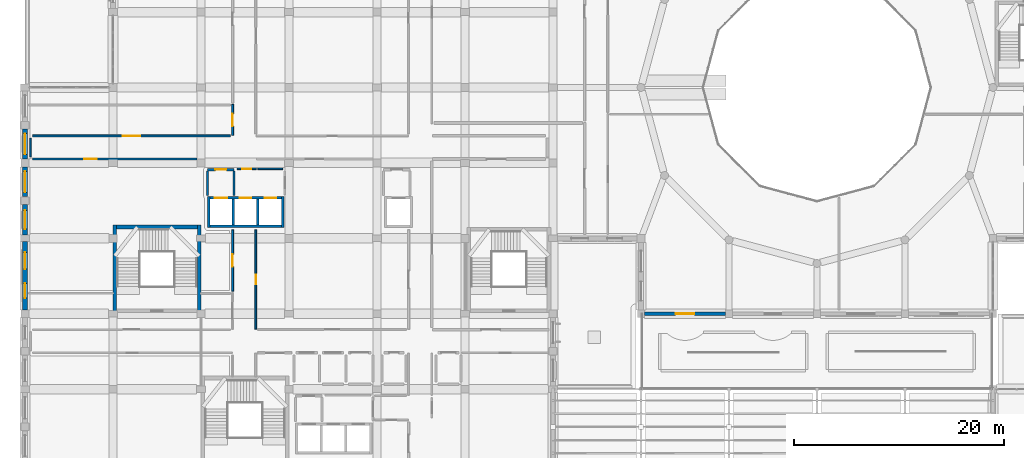
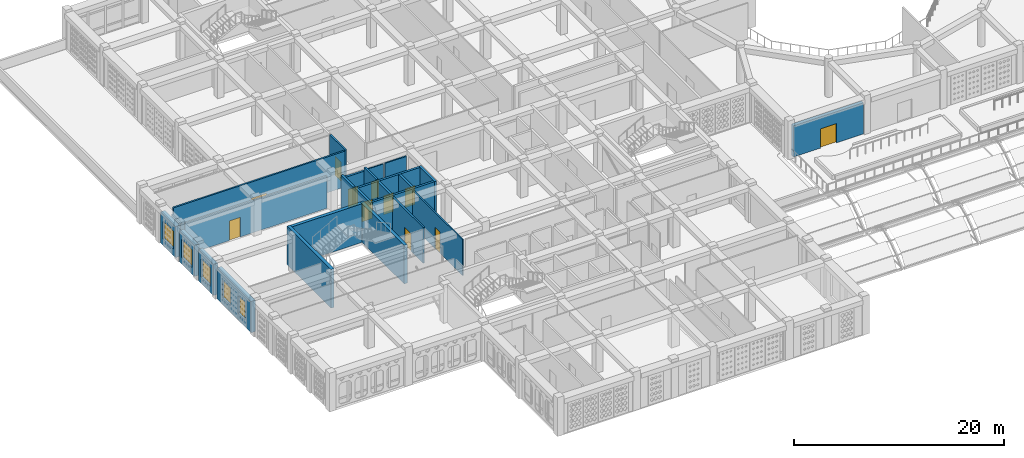
# One storey, part 55 of 100: 25 walls, 11 doors, 5 windows, 16 openings.
"""IFC4 building model written with IfcOpenShell, lengths in metres."""

from ifc_helpers import new_model, si_unit, derived_unit, direction, frame, frame_2d, origin, place, context, subcontext, project, spatial, rectangle, extrude, material, layer, layer_set, type_object, element, fill, save


model = new_model("IFC4")

# Units and contexts
model_context = context("Model", 3, precision=1e-05, world=origin(), true_north=direction((0.0, 1.0)))
body_context = subcontext(model_context, "Body", "Model", "MODEL_VIEW")
ifc_project = project(units=[si_unit("LENGTHUNIT", "METRE"), si_unit("AREAUNIT", "SQUARE_METRE"), si_unit("VOLUMEUNIT", "CUBIC_METRE"), si_unit("PLANEANGLEUNIT", "RADIAN"), si_unit("MASSUNIT", "GRAM", prefix="KILO"), derived_unit("THERMALTRANSMITTANCEUNIT", [(si_unit("POWERUNIT", "WATT"), 1), (si_unit("LENGTHUNIT", "METRE"), -2), (si_unit("THERMODYNAMICTEMPERATUREUNIT", "KELVIN"), -1)])], contexts=[model_context])

# Site, building, storey
site_placement = place(None, origin())
site = spatial("IfcSite", under=ifc_project, at=site_placement, CompositionType="ELEMENT")
building_placement = place(site_placement, origin())
building = spatial("IfcBuilding", under=site, at=building_placement, Name="Veybourne Emporium", CompositionType="ELEMENT")
storey_placement = place(building_placement, frame((0.0, 0.0, 14.39990234375)))
storey = spatial("IfcBuildingStorey", under=building, at=storey_placement, Name="L03", CompositionType="ELEMENT", Elevation=14.39990234375)

# Wall, openings, windows
ifc_material_1 = material(Name="Portland Limestone Ashlar", Category="masonry")
ifc_layer_1 = layer(ifc_material_1, 0.47998046875)
ifc_layer_set_1 = layer_set([ifc_layer_1], Name="Portland Limestone Ashlar")
wall_type_1 = type_object("IfcWallType", Name="ExtWall_EW-01", PredefinedType="SOLIDWALL", material=ifc_layer_set_1)
wall_1_placement = place(storey_placement, frame((0.0, 29.175048828125, 0.0), z_axis=(0.0, 0.0, 1.0), x_axis=(0.0, 1.0, 0.0)))
wall_1 = element("IfcWall", 1, at=wall_1_placement, inside=storey, type_object=wall_type_1, Name="L03 Portland stone external wall 004", PredefinedType="SOLIDWALL", context=body_context, shape_type="SweptSolid", body=[
    extrude(rectangle(XDim=6.5, YDim=0.47998046875, at=frame_2d((3.25, 0.0))), origin(), (0.0, 0.0, 1.0), 3.630126953125),
])
opening_1_placement = place(wall_1_placement, frame((1.1201171875, 0.0, 0.75)))
opening_1 = element("IfcOpeningElement", 2, at=opening_1_placement, cuts=wall_1, Name="Opening W-10", PredefinedType="OPENING", context=body_context, shape_type="SweptSolid", body=[
    extrude(rectangle(XDim=1.39990234375, YDim=2.080078125, at=frame_2d((0.699951171875, 1.0400390625))), frame((0.0, 0.260009765625, 0.0), z_axis=(0.0, -1.0, 0.0), x_axis=(1.0, 0.0, 0.0)), (0.0, 0.0, 1.0), 0.52001953125),
])
opening_2_placement = place(wall_1_placement, frame((3.8798828125, 0.0, 0.75)))
opening_2 = element("IfcOpeningElement", 3, at=opening_2_placement, cuts=wall_1, Name="Opening W-11", PredefinedType="OPENING", context=body_context, shape_type="SweptSolid", body=[
    extrude(rectangle(XDim=1.60009765625, YDim=2.080078125, at=frame_2d((0.800048828125, 1.0400390625))), frame((0.0, 0.260009765625, 0.0), z_axis=(0.0, -1.0, 0.0), x_axis=(1.0, 0.0, 0.0)), (0.0, 0.0, 1.0), 0.52001953125),
])
ifc_material_2 = material(Name="Low-E Triple Glazing", Category="glass")
window_type_1 = type_object("IfcWindowType", Name="Win_W-10", PartitioningType="DOUBLE_PANEL_VERTICAL", PredefinedType="WINDOW", material=ifc_material_2)
window_1_placement = place(opening_1_placement, origin())
window_1 = element("IfcWindow", 4, at=window_1_placement, inside=storey, type_object=window_type_1, Name="L03 tripartite bronze casement window W-10 (4.1)", OverallHeight=2.080078125, OverallWidth=1.39990234375, PartitioningType="DOUBLE_PANEL_VERTICAL", PredefinedType="WINDOW", context=body_context, shape_type="SweptSolid", body=[
    extrude(rectangle(XDim=1.39990234375, YDim=2.080078125, at=frame_2d((0.699951171875, 1.0400390625))), frame((0.0, 0.030029296875, 0.0), z_axis=(0.0, -1.0, 0.0), x_axis=(1.0, 0.0, 0.0)), (0.0, 0.0, 1.0), 0.06005859375),
])
fill(opening_1, window_1)
window_type_2 = type_object("IfcWindowType", Name="Win_W-11", PartitioningType="DOUBLE_PANEL_VERTICAL", PredefinedType="WINDOW", material=ifc_material_2)
window_2_placement = place(opening_2_placement, origin())
window_2 = element("IfcWindow", 5, at=window_2_placement, inside=storey, type_object=window_type_2, Name="L03 tripartite bronze casement window W-11 (4.2)", OverallHeight=2.080078125, OverallWidth=1.60009765625, PartitioningType="DOUBLE_PANEL_VERTICAL", PredefinedType="WINDOW", context=body_context, shape_type="SweptSolid", body=[
    extrude(rectangle(XDim=1.60009765625, YDim=2.080078125, at=frame_2d((0.800048828125, 1.0400390625))), frame((0.0, 0.030029296875, 0.0), z_axis=(0.0, -1.0, 0.0), x_axis=(1.0, 0.0, 0.0)), (0.0, 0.0, 1.0), 0.06005859375),
])
fill(opening_2, window_2)

# Wall, opening, window
wall_2_placement = place(storey_placement, frame((0.0, 36.324951171875, 0.0), z_axis=(0.0, 0.0, 1.0), x_axis=(0.0, 1.0, 0.0)))
wall_2 = element("IfcWall", 6, at=wall_2_placement, inside=storey, type_object=wall_type_1, Name="L03 Portland stone external wall 005A", PredefinedType="SOLIDWALL", context=body_context, shape_type="SweptSolid", body=[
    extrude(rectangle(XDim=2.905029296875, YDim=0.47998046875, at=frame_2d((1.45263671875, 0.0))), origin(), (0.0, 0.0, 1.0), 3.630126953125),
])
opening_3_placement = place(wall_2_placement, frame((0.552490234375, 0.0, 0.75)))
opening_3 = element("IfcOpeningElement", 7, at=opening_3_placement, cuts=wall_2, Name="Opening W-12", PredefinedType="OPENING", context=body_context, shape_type="SweptSolid", body=[
    extrude(rectangle(XDim=1.800048828125, YDim=2.080078125, at=frame_2d((0.89990234375, 1.0400390625))), frame((0.0, 0.260009765625, 0.0), z_axis=(0.0, -1.0, 0.0), x_axis=(1.0, 0.0, 0.0)), (0.0, 0.0, 1.0), 0.52001953125),
])
window_type_3 = type_object("IfcWindowType", Name="Win_W-12", PartitioningType="DOUBLE_PANEL_VERTICAL", PredefinedType="WINDOW", material=ifc_material_2)
window_3_placement = place(opening_3_placement, origin())
window_3 = element("IfcWindow", 8, at=window_3_placement, inside=storey, type_object=window_type_3, Name="L03 tripartite bronze casement window W-12 (5A)", OverallHeight=2.080078125, OverallWidth=1.800048828125, PartitioningType="DOUBLE_PANEL_VERTICAL", PredefinedType="WINDOW", context=body_context, shape_type="SweptSolid", body=[
    extrude(rectangle(XDim=1.800048828125, YDim=2.080078125, at=frame_2d((0.89990234375, 1.0400390625))), frame((0.0, 0.030029296875, 0.0), z_axis=(0.0, -1.0, 0.0), x_axis=(1.0, 0.0, 0.0)), (0.0, 0.0, 1.0), 0.06005859375),
])
fill(opening_3, window_3)

wall_3_placement = place(storey_placement, frame((0.0, 39.969970703125, 0.0), z_axis=(0.0, 0.0, 1.0), x_axis=(0.0, 1.0, 0.0)))
wall_3 = element("IfcWall", 9, at=wall_3_placement, inside=storey, type_object=wall_type_1, Name="L03 Portland stone external wall 005B", PredefinedType="SOLIDWALL", context=body_context, shape_type="SweptSolid", body=[
    extrude(rectangle(XDim=2.85498046875, YDim=0.47998046875, at=frame_2d((1.427490234375, 0.0))), origin(), (0.0, 0.0, 1.0), 3.630126953125),
])
opening_4_placement = place(wall_3_placement, frame((0.427490234375, 0.0, 0.75)))
opening_4 = element("IfcOpeningElement", 10, at=opening_4_placement, cuts=wall_3, Name="Opening W-13", PredefinedType="OPENING", context=body_context, shape_type="SweptSolid", body=[
    extrude(rectangle(XDim=2.0, YDim=2.080078125, at=frame_2d((1.0, 1.0400390625))), frame((0.0, 0.260009765625, 0.0), z_axis=(0.0, -1.0, 0.0), x_axis=(1.0, 0.0, 0.0)), (0.0, 0.0, 1.0), 0.52001953125),
])
window_type_4 = type_object("IfcWindowType", Name="Win_W-13", PartitioningType="TRIPLE_PANEL_VERTICAL", PredefinedType="WINDOW", material=ifc_material_2)
window_4_placement = place(opening_4_placement, origin())
window_4 = element("IfcWindow", 11, at=window_4_placement, inside=storey, type_object=window_type_4, Name="L03 tripartite bronze casement window W-13 (5B)", OverallHeight=2.080078125, OverallWidth=2.0, PartitioningType="TRIPLE_PANEL_VERTICAL", PredefinedType="WINDOW", context=body_context, shape_type="SweptSolid", body=[
    extrude(rectangle(XDim=2.0, YDim=2.080078125, at=frame_2d((1.0, 1.0400390625))), frame((0.0, 0.030029296875, 0.0), z_axis=(0.0, -1.0, 0.0), x_axis=(1.0, 0.0, 0.0)), (0.0, 0.0, 1.0), 0.06005859375),
])
fill(opening_4, window_4)

wall_4_placement = place(storey_placement, frame((0.0, 43.574951171875, 0.0), z_axis=(0.0, 0.0, 1.0), x_axis=(0.0, 1.0, 0.0)))
wall_4 = element("IfcWall", 12, at=wall_4_placement, inside=storey, type_object=wall_type_1, Name="L03 Portland stone external wall 007A", PredefinedType="SOLIDWALL", context=body_context, shape_type="SweptSolid", body=[
    extrude(rectangle(XDim=2.85498046875, YDim=0.47998046875, at=frame_2d((1.427490234375, 0.0))), origin(), (0.0, 0.0, 1.0), 3.630126953125),
])
opening_5_placement = place(wall_4_placement, frame((0.427490234375, 0.0, 0.75)))
opening_5 = element("IfcOpeningElement", 13, at=opening_5_placement, cuts=wall_4, Name="Opening W-14", PredefinedType="OPENING", context=body_context, shape_type="SweptSolid", body=[
    extrude(rectangle(XDim=2.0, YDim=2.080078125, at=frame_2d((1.0, 1.0400390625))), frame((0.0, 0.260009765625, 0.0), z_axis=(0.0, -1.0, 0.0), x_axis=(1.0, 0.0, 0.0)), (0.0, 0.0, 1.0), 0.52001953125),
])
window_type_5 = type_object("IfcWindowType", Name="Win_W-14", PartitioningType="TRIPLE_PANEL_VERTICAL", PredefinedType="WINDOW", material=ifc_material_2)
window_5_placement = place(opening_5_placement, origin())
window_5 = element("IfcWindow", 14, at=window_5_placement, inside=storey, type_object=window_type_5, Name="L03 tripartite bronze casement window W-14 (7A)", OverallHeight=2.080078125, OverallWidth=2.0, PartitioningType="TRIPLE_PANEL_VERTICAL", PredefinedType="WINDOW", context=body_context, shape_type="SweptSolid", body=[
    extrude(rectangle(XDim=2.0, YDim=2.080078125, at=frame_2d((1.0, 1.0400390625))), frame((0.0, 0.030029296875, 0.0), z_axis=(0.0, -1.0, 0.0), x_axis=(1.0, 0.0, 0.0)), (0.0, 0.0, 1.0), 0.06005859375),
])
fill(opening_5, window_5)

# Wall, opening, door
ifc_layer_2 = layer(ifc_material_1, 0.3798828125)
ifc_layer_set_2 = layer_set([ifc_layer_2], Name="Portland Limestone Ashlar")
wall_type_2 = type_object("IfcWallType", Name="ExtWall_EW-03", PredefinedType="SOLIDWALL", material=ifc_layer_set_2)
wall_5_placement = place(storey_placement, frame((66.85009765625, 28.800048828125, 0.0), z_axis=(0.0, 0.0, 1.0), x_axis=(-1.0, 0.0, 0.0)))
wall_5 = element("IfcWall", 15, at=wall_5_placement, inside=storey, type_object=wall_type_2, Name="L03 terrace facade wall 034", PredefinedType="SOLIDWALL", context=body_context, shape_type="SweptSolid", body=[
    extrude(rectangle(XDim=7.7001953125, YDim=0.3798828125, at=frame_2d((3.85009765625, 0.0))), origin(), (0.0, 0.0, 1.0), 3.630126953125),
])
opening_6_placement = place(wall_5_placement, frame((2.949951171875, 0.0, 0.0)))
opening_6 = element("IfcOpeningElement", 16, at=opening_6_placement, cuts=wall_5, Name="Opening TD-01", PredefinedType="OPENING", context=body_context, shape_type="SweptSolid", body=[
    extrude(rectangle(XDim=1.800048828125, YDim=2.25, at=frame_2d((0.89990234375, 1.125))), frame((0.0, 0.2099609375, 0.0), z_axis=(0.0, -1.0, 0.0), x_axis=(1.0, 0.0, 0.0)), (0.0, 0.0, 1.0), 0.419921875),
])
ifc_material_3 = material(Name="Patinated Architectural Bronze", Category="bronze")
door_type_1 = type_object("IfcDoorType", Name="TerrDoor_TD-01", OperationType="NOTDEFINED", PredefinedType="DOOR", material=ifc_material_3)
door_1_placement = place(opening_6_placement, origin())
door_1 = element("IfcDoor", 17, at=door_1_placement, inside=storey, type_object=door_type_1, Name="L03 roof-garden terrace door 01", OperationType="SINGLE_SWING_RIGHT", OverallHeight=2.25, OverallWidth=1.800048828125, PredefinedType="DOOR", context=body_context, shape_type="SweptSolid", body=[
    extrude(rectangle(XDim=1.800048828125, YDim=2.25, at=frame_2d((0.89990234375, 1.125))), frame((0.0, 0.02490234375, 0.0), z_axis=(0.0, -1.0, 0.0), x_axis=(1.0, 0.0, 0.0)), (0.0, 0.0, 1.0), 0.050048828125),
])
fill(opening_6, door_1)

# Walls
ifc_material_4 = material(Name="Concrete C40/50", Category="concrete")
ifc_layer_3 = layer(ifc_material_4, 0.35009765625)
ifc_layer_set_3 = layer_set([ifc_layer_3], Name="Concrete C40/50")
wall_type_3 = type_object("IfcWallType", Name="IntWall_CW-02", PredefinedType="SHEAR", material=ifc_layer_set_3)
wall_6_placement = place(storey_placement, frame((8.75, 37.074951171875, 0.0), z_axis=(0.0, 0.0, 1.0), x_axis=(1.0, 0.0, 0.0)))
element("IfcWall", 18, at=wall_6_placement, inside=storey, type_object=wall_type_3, Name="Core stair ST-02 north shear wall (L03)", PredefinedType="SHEAR", context=body_context, shape_type="SweptSolid", body=[
    extrude(rectangle(XDim=7.699951171875, YDim=0.35009765625, at=frame_2d((3.85009765625, 0.0))), origin(), (0.0, 0.0, 1.0), 4.5),
])
for number, where, z_axis, x_axis, name in (
    (19, (8.574951171875, 37.25, 0.0), (0.0, 0.0, 1.0), (0.0, -1.0, 0.0), "Core stair ST-02 west shear wall (L03)"),
    (20, (16.625, 28.89990234375, 0.0), (0.0, 0.0, 1.0), (0.0, 1.0, 0.0), "Core stair ST-02 east shear wall (L03)"),
):
    element("IfcWall", number, at=place(storey_placement, frame(where, z_axis=z_axis, x_axis=x_axis)), inside=storey, type_object=wall_type_3, Name=name, PredefinedType="SHEAR", context=body_context, shape_type="SweptSolid", body=[
        extrude(rectangle(XDim=8.35009765625, YDim=0.35009765625, at=frame_2d((4.175048828125, 0.0))), origin(), (0.0, 0.0, 1.0), 4.5),
    ])

# Wall, openings, doors
ifc_layer_4 = layer(ifc_material_4, 0.239990234375)
ifc_layer_set_4 = layer_set([ifc_layer_4], Name="Concrete C40/50")
wall_type_4 = type_object("IfcWallType", Name="IntWall_CW-04", PredefinedType="SHEAR", material=ifc_layer_set_4)
wall_7_placement = place(storey_placement, frame((24.47998046875, 39.8701171875, 0.0), z_axis=(0.0, 0.0, 1.0), x_axis=(-1.0, 0.0, 0.0)))
wall_7 = element("IfcWall", 21, at=wall_7_placement, inside=storey, type_object=wall_type_4, Name="Lift core C2 north shaft wall (L03)", PredefinedType="SHEAR", context=body_context, shape_type="SweptSolid", body=[
    extrude(rectangle(XDim=6.820068359375, YDim=0.239990234375, at=frame_2d((3.41015625, 0.0))), origin(), (0.0, 0.0, 1.0), 4.18017578125),
])
opening_7_placement = place(wall_7_placement, frame((5.195068359375, 0.0, 0.0)))
opening_7 = element("IfcOpeningElement", 22, at=opening_7_placement, cuts=wall_7, Name="Opening LD-02", PredefinedType="OPENING", context=body_context, shape_type="SweptSolid", body=[
    extrude(rectangle(XDim=1.14990234375, YDim=2.25, at=frame_2d((0.574951171875, 1.125))), frame((0.0, 0.14013671875, 0.0), z_axis=(0.0, -1.0, 0.0), x_axis=(1.0, 0.0, 0.0)), (0.0, 0.0, 1.0), 0.280029296875),
])
opening_8_placement = place(wall_7_placement, frame((2.8701171875, 0.0, 0.0)))
opening_8 = element("IfcOpeningElement", 23, at=opening_8_placement, cuts=wall_7, Name="Opening LD-01", PredefinedType="OPENING", context=body_context, shape_type="SweptSolid", body=[
    extrude(rectangle(XDim=1.10009765625, YDim=2.199951171875, at=frame_2d((0.550048828125, 1.10009765625))), frame((0.0, 0.14013671875, 0.0), z_axis=(0.0, -1.0, 0.0), x_axis=(1.0, 0.0, 0.0)), (0.0, 0.0, 1.0), 0.280029296875),
])
opening_9_placement = place(wall_7_placement, frame((0.510009765625, 0.0, 0.0)))
opening_9 = element("IfcOpeningElement", 24, at=opening_9_placement, cuts=wall_7, Name="Opening LD-01", PredefinedType="OPENING", context=body_context, shape_type="SweptSolid", body=[
    extrude(rectangle(XDim=1.10009765625, YDim=2.199951171875, at=frame_2d((0.550048828125, 1.10009765625))), frame((0.0, 0.14013671875, 0.0), z_axis=(0.0, -1.0, 0.0), x_axis=(1.0, 0.0, 0.0)), (0.0, 0.0, 1.0), 0.280029296875),
])
door_type_2 = type_object("IfcDoorType", Name="FireDoor_LD-01", OperationType="DOUBLE_DOOR_SLIDING", PredefinedType="DOOR", material=ifc_material_3)
door_2_placement = place(opening_8_placement, origin())
door_2 = element("IfcDoor", 25, at=door_2_placement, inside=storey, type_object=door_type_2, Name="Lift PL-03 sliding landing door (L03)", OperationType="DOUBLE_DOOR_SLIDING", OverallHeight=2.199951171875, OverallWidth=1.10009765625, PredefinedType="DOOR", context=body_context, shape_type="SweptSolid", body=[
    extrude(rectangle(XDim=1.10009765625, YDim=2.199951171875, at=frame_2d((0.550048828125, 1.10009765625))), frame((0.0, 0.02490234375, 0.0), z_axis=(0.0, -1.0, 0.0), x_axis=(1.0, 0.0, 0.0)), (0.0, 0.0, 1.0), 0.050048828125),
])
fill(opening_8, door_2)
door_3_placement = place(opening_9_placement, origin())
door_3 = element("IfcDoor", 26, at=door_3_placement, inside=storey, type_object=door_type_2, Name="Lift PL-04 sliding landing door (L03)", OperationType="DOUBLE_DOOR_SLIDING", OverallHeight=2.199951171875, OverallWidth=1.10009765625, PredefinedType="DOOR", context=body_context, shape_type="SweptSolid", body=[
    extrude(rectangle(XDim=1.10009765625, YDim=2.199951171875, at=frame_2d((0.550048828125, 1.10009765625))), frame((0.0, 0.02490234375, 0.0), z_axis=(0.0, -1.0, 0.0), x_axis=(1.0, 0.0, 0.0)), (0.0, 0.0, 1.0), 0.050048828125),
])
fill(opening_9, door_3)
door_type_3 = type_object("IfcDoorType", Name="FireDoor_LD-02", OperationType="SLIDING_TO_LEFT", PredefinedType="DOOR", material=ifc_material_3)
door_4_placement = place(opening_7_placement, origin())
door_4 = element("IfcDoor", 27, at=door_4_placement, inside=storey, type_object=door_type_3, Name="Lift FFL-02 sliding landing door (L03)", OperationType="SLIDING_TO_LEFT", OverallHeight=2.25, OverallWidth=1.14990234375, PredefinedType="DOOR", context=body_context, shape_type="SweptSolid", body=[
    extrude(rectangle(XDim=1.14990234375, YDim=2.25, at=frame_2d((0.574951171875, 1.125))), frame((0.0, 0.02490234375, 0.0), z_axis=(0.0, -1.0, 0.0), x_axis=(1.0, 0.0, 0.0)), (0.0, 0.0, 1.0), 0.050048828125),
])
fill(opening_7, door_4)

# Walls
wall_8_placement = place(storey_placement, frame((17.659912109375, 37.1298828125, 0.0), z_axis=(0.0, 0.0, 1.0), x_axis=(1.0, 0.0, 0.0)))
element("IfcWall", 28, at=wall_8_placement, inside=storey, type_object=wall_type_4, Name="Lift core C2 south shaft wall (L03)", PredefinedType="SHEAR", context=body_context, shape_type="SweptSolid", body=[
    extrude(rectangle(XDim=6.820068359375, YDim=0.239990234375, at=frame_2d((3.41015625, 0.0))), origin(), (0.0, 0.0, 1.0), 4.18017578125),
])
for number, where, z_axis, x_axis, name in (
    (29, (17.5400390625, 39.989990234375, 0.0), (0.0, 0.0, 1.0), (0.0, -1.0, 0.0), "Lift core C2 west shaft wall (L03)"),
    (30, (24.60009765625, 37.010009765625, 0.0), (0.0, 0.0, 1.0), (0.0, 1.0, 0.0), "Lift core C2 east shaft wall (L03)"),
):
    element("IfcWall", number, at=place(storey_placement, frame(where, z_axis=z_axis, x_axis=x_axis)), inside=storey, type_object=wall_type_4, Name=name, PredefinedType="SHEAR", context=body_context, shape_type="SweptSolid", body=[
        extrude(rectangle(XDim=2.97998046875, YDim=0.239990234375, at=frame_2d((1.489990234375, 0.0))), origin(), (0.0, 0.0, 1.0), 4.18017578125),
    ])
for number, where, z_axis, x_axis, name in (
    (31, (19.8798828125, 37.25, 0.0), (0.0, 0.0, 1.0), (0.0, 1.0, 0.0), "Lift core C2 divider wall 1 (L03)"),
    (32, (22.239990234375, 37.25, 0.0), (0.0, 0.0, 1.0), (0.0, 1.0, 0.0), "Lift core C2 divider wall 2 (L03)"),
):
    element("IfcWall", number, at=place(storey_placement, frame(where, z_axis=z_axis, x_axis=x_axis)), inside=storey, type_object=wall_type_4, Name=name, PredefinedType="SHEAR", context=body_context, shape_type="SweptSolid", body=[
        extrude(rectangle(XDim=2.5, YDim=0.239990234375, at=frame_2d((1.25, 0.0))), origin(), (0.0, 0.0, 1.0), 4.18017578125),
    ])

# Wall, opening, door
ifc_material_5 = material(Name="Concrete C32/40", Category="concrete")
ifc_layer_5 = layer(ifc_material_5, 0.219970703125)
ifc_layer_set_5 = layer_set([ifc_layer_5], Name="Concrete C32/40")
wall_type_5 = type_object("IfcWallType", Name="IntWall_FW-02", PredefinedType="SOLIDWALL", material=ifc_layer_set_5)
wall_9_placement = place(storey_placement, frame((17.419921875, 42.550048828125, 0.0), z_axis=(0.0, 0.0, 1.0), x_axis=(1.0, 0.0, 0.0)))
wall_9 = element("IfcWall", 33, at=wall_9_placement, inside=storey, type_object=wall_type_5, Name="Firefighting lobby C2 fire wall N (L03)", PredefinedType="SOLIDWALL", context=body_context, shape_type="SweptSolid", body=[
    extrude(rectangle(XDim=2.5400390625, YDim=0.219970703125, at=frame_2d((1.27001953125, 0.0))), origin(), (0.0, 0.0, 1.0), 3.72998046875),
])
opening_10_placement = place(wall_9_placement, frame((0.7451171875, 0.0, 0.0)))
opening_10 = element("IfcOpeningElement", 34, at=opening_10_placement, cuts=wall_9, Name="Opening FD-02", PredefinedType="OPENING", context=body_context, shape_type="SweptSolid", body=[
    extrude(rectangle(XDim=1.050048828125, YDim=2.14990234375, at=frame_2d((0.52490234375, 1.074951171875))), frame((0.0, 0.1298828125, 0.0), z_axis=(0.0, -1.0, 0.0), x_axis=(1.0, 0.0, 0.0)), (0.0, 0.0, 1.0), 0.260009765625),
])
door_type_4 = type_object("IfcDoorType", Name="FireDoor_FD-02", OperationType="NOTDEFINED", PredefinedType="DOOR", material=ifc_material_3)
door_5_placement = place(opening_10_placement, origin())
door_5 = element("IfcDoor", 35, at=door_5_placement, inside=storey, type_object=door_type_4, Name="Firefighting lobby C2 FD60S door N (L03)", OperationType="SINGLE_SWING_RIGHT", OverallHeight=2.14990234375, OverallWidth=1.050048828125, PredefinedType="DOOR", context=body_context, shape_type="SweptSolid", body=[
    extrude(rectangle(XDim=1.050048828125, YDim=2.14990234375, at=frame_2d((0.52490234375, 1.074951171875))), frame((0.0, 0.02490234375, 0.0), z_axis=(0.0, -1.0, 0.0), x_axis=(1.0, 0.0, 0.0)), (0.0, 0.0, 1.0), 0.050048828125),
])
fill(opening_10, door_5)

# Walls
for number, where, z_axis, x_axis, name in (
    (36, (17.419921875, 40.110107421875, 0.0), (0.0, 0.0, 1.0), (0.0, 1.0, 0.0), "Firefighting lobby C2 fire wall W (L03)"),
    (37, (19.9599609375, 40.110107421875, 0.0), (0.0, 0.0, 1.0), (0.0, 1.0, 0.0), "Firefighting lobby C2 fire wall E (L03)"),
):
    element("IfcWall", number, at=place(storey_placement, frame(where, z_axis=z_axis, x_axis=x_axis)), inside=storey, type_object=wall_type_5, Name=name, PredefinedType="SOLIDWALL", context=body_context, shape_type="SweptSolid", body=[
        extrude(rectangle(XDim=2.31982421875, YDim=0.219970703125, at=frame_2d((1.159912109375, 0.0))), origin(), (0.0, 0.0, 1.0), 4.18017578125),
    ])

# Wall, opening, door
ifc_material_6 = material(Name="Gypsum Acoustic Board", Category="gypsum")
ifc_layer_6 = layer(ifc_material_6, 0.179931640625)
ifc_layer_set_6 = layer_set([ifc_layer_6], Name="Gypsum Acoustic Board")
wall_type_6 = type_object("IfcWallType", Name="IntWall_IW-01", PredefinedType="PARTITIONING", material=ifc_layer_set_6)
wall_10_placement = place(storey_placement, frame((0.72998046875, 43.570068359375, 0.0), z_axis=(0.0, 0.0, 1.0), x_axis=(1.0, 0.0, 0.0)))
wall_10 = element("IfcWall", 38, at=wall_10_placement, inside=storey, type_object=wall_type_6, Name="L03 interior partition IW-01 #011", PredefinedType="PARTITIONING", context=body_context, shape_type="SweptSolid", body=[
    extrude(rectangle(XDim=15.675048828125, YDim=0.179931640625, at=frame_2d((7.83740234375, 0.0))), origin(), (0.0, 0.0, 1.0), 3.72998046875),
])
opening_11_placement = place(wall_10_placement, frame((4.92138671875, 0.0, 0.0)))
opening_11 = element("IfcOpeningElement", 39, at=opening_11_placement, cuts=wall_10, Name="Opening D-21", PredefinedType="OPENING", context=body_context, shape_type="SweptSolid", body=[
    extrude(rectangle(XDim=1.199951171875, YDim=2.2900390625, at=frame_2d((0.60009765625, 1.14501953125))), frame((0.0, 0.10986328125, 0.0), z_axis=(0.0, -1.0, 0.0), x_axis=(1.0, 0.0, 0.0)), (0.0, 0.0, 1.0), 0.219970703125),
])
ifc_material_7 = material(Name="European Oak Veneer and Bronze", Category="wood")
door_type_5 = type_object("IfcDoorType", Name="IntDoor_D-21", OperationType="NOTDEFINED", PredefinedType="DOOR", material=ifc_material_7)
door_6_placement = place(opening_11_placement, origin())
door_6 = element("IfcDoor", 40, at=door_6_placement, inside=storey, type_object=door_type_5, Name="L03 interior door D-21 (PART-L03-011)", OperationType="SINGLE_SWING_RIGHT", OverallHeight=2.2900390625, OverallWidth=1.199951171875, PredefinedType="DOOR", context=body_context, shape_type="SweptSolid", body=[
    extrude(rectangle(XDim=1.199951171875, YDim=2.2900390625, at=frame_2d((0.60009765625, 1.14501953125))), frame((0.0, 0.02490234375, 0.0), z_axis=(0.0, -1.0, 0.0), x_axis=(1.0, 0.0, 0.0)), (0.0, 0.0, 1.0), 0.050048828125),
])
fill(opening_11, door_6)

wall_11_placement = place(storey_placement, frame((0.72998046875, 45.780029296875, 0.0), z_axis=(0.0, 0.0, 1.0), x_axis=(1.0, 0.0, 0.0)))
wall_11 = element("IfcWall", 41, at=wall_11_placement, inside=storey, type_object=wall_type_6, Name="L03 interior partition IW-01 #014", PredefinedType="PARTITIONING", context=body_context, shape_type="SweptSolid", body=[
    extrude(rectangle(XDim=18.880126953125, YDim=0.179931640625, at=frame_2d((9.43994140625, 0.0))), origin(), (0.0, 0.0, 1.0), 4.18017578125),
])
opening_12_placement = place(wall_11_placement, frame((8.60009765625, 0.0, 0.0)))
opening_12 = element("IfcOpeningElement", 42, at=opening_12_placement, cuts=wall_11, Name="Opening D-24", PredefinedType="OPENING", context=body_context, shape_type="SweptSolid", body=[
    extrude(rectangle(XDim=1.679931640625, YDim=2.2900390625, at=frame_2d((0.83984375, 1.14501953125))), frame((0.0, 0.10986328125, 0.0), z_axis=(0.0, -1.0, 0.0), x_axis=(1.0, 0.0, 0.0)), (0.0, 0.0, 1.0), 0.219970703125),
])
door_type_6 = type_object("IfcDoorType", Name="IntDoor_D-24", OperationType="DOUBLE_DOOR_SINGLE_SWING", PredefinedType="DOOR", material=ifc_material_7)
door_7_placement = place(opening_12_placement, origin())
door_7 = element("IfcDoor", 43, at=door_7_placement, inside=storey, type_object=door_type_6, Name="L03 interior door D-24 (PART-L03-014)", OperationType="DOUBLE_DOOR_SINGLE_SWING", OverallHeight=2.2900390625, OverallWidth=1.679931640625, PredefinedType="DOOR", context=body_context, shape_type="SweptSolid", body=[
    extrude(rectangle(XDim=1.679931640625, YDim=2.2900390625, at=frame_2d((0.83984375, 1.14501953125))), frame((0.0, 0.02490234375, 0.0), z_axis=(0.0, -1.0, 0.0), x_axis=(1.0, 0.0, 0.0)), (0.0, 0.0, 1.0), 0.050048828125),
])
fill(opening_12, door_7)

wall_12_placement = place(storey_placement, frame((19.820068359375, 30.9599609375, 0.0), z_axis=(0.0, 0.0, 1.0), x_axis=(0.0, 1.0, 0.0)))
wall_12 = element("IfcWall", 44, at=wall_12_placement, inside=storey, type_object=wall_type_6, Name="L03 interior partition IW-01 #065", PredefinedType="PARTITIONING", context=body_context, shape_type="SweptSolid", body=[
    extrude(rectangle(XDim=5.840087890625, YDim=0.179931640625, at=frame_2d((2.919921875, 0.0))), origin(), (0.0, 0.0, 1.0), 4.18017578125),
])
opening_13_placement = place(wall_12_placement, frame((2.320068359375, 0.0, 0.0)))
opening_13 = element("IfcOpeningElement", 45, at=opening_13_placement, cuts=wall_12, Name="Opening D-03", PredefinedType="OPENING", context=body_context, shape_type="SweptSolid", body=[
    extrude(rectangle(XDim=1.199951171875, YDim=2.050048828125, at=frame_2d((0.60009765625, 1.02490234375))), frame((0.0, 0.10986328125, 0.0), z_axis=(0.0, -1.0, 0.0), x_axis=(1.0, 0.0, 0.0)), (0.0, 0.0, 1.0), 0.219970703125),
])
door_type_7 = type_object("IfcDoorType", Name="IntDoor_D-03", OperationType="NOTDEFINED", PredefinedType="DOOR", material=ifc_material_7)
door_8_placement = place(opening_13_placement, origin())
door_8 = element("IfcDoor", 46, at=door_8_placement, inside=storey, type_object=door_type_7, Name="L03 interior door D-03 (PART-L03-065)", OperationType="SINGLE_SWING_LEFT", OverallHeight=2.050048828125, OverallWidth=1.199951171875, PredefinedType="DOOR", context=body_context, shape_type="SweptSolid", body=[
    extrude(rectangle(XDim=1.199951171875, YDim=2.050048828125, at=frame_2d((0.60009765625, 1.02490234375))), frame((0.0, 0.02490234375, 0.0), z_axis=(0.0, -1.0, 0.0), x_axis=(1.0, 0.0, 0.0)), (0.0, 0.0, 1.0), 0.050048828125),
])
fill(opening_13, door_8)

wall_13_placement = place(storey_placement, frame((19.820068359375, 45.830078125, 0.0), z_axis=(0.0, 0.0, 1.0), x_axis=(0.0, 1.0, 0.0)))
wall_13 = element("IfcWall", 47, at=wall_13_placement, inside=storey, type_object=wall_type_6, Name="L03 interior partition IW-01 #077", PredefinedType="PARTITIONING", context=body_context, shape_type="SweptSolid", body=[
    extrude(rectangle(XDim=2.949951171875, YDim=0.179931640625, at=frame_2d((1.47509765625, 0.0))), origin(), (0.0, 0.0, 1.0), 4.18017578125),
])
opening_14_placement = place(wall_13_placement, frame((0.875, 0.0, 0.0)))
opening_14 = element("IfcOpeningElement", 48, at=opening_14_placement, cuts=wall_13, Name="Opening D-15", PredefinedType="OPENING", context=body_context, shape_type="SweptSolid", body=[
    extrude(rectangle(XDim=1.199951171875, YDim=2.2099609375, at=frame_2d((0.60009765625, 1.10498046875))), frame((0.0, 0.10986328125, 0.0), z_axis=(0.0, -1.0, 0.0), x_axis=(1.0, 0.0, 0.0)), (0.0, 0.0, 1.0), 0.219970703125),
])
door_type_8 = type_object("IfcDoorType", Name="IntDoor_D-15", OperationType="NOTDEFINED", PredefinedType="DOOR", material=ifc_material_7)
door_9_placement = place(opening_14_placement, origin())
door_9 = element("IfcDoor", 49, at=door_9_placement, inside=storey, type_object=door_type_8, Name="L03 interior door D-15 (PART-L03-077)", OperationType="SINGLE_SWING_LEFT", OverallHeight=2.2099609375, OverallWidth=1.199951171875, PredefinedType="DOOR", context=body_context, shape_type="SweptSolid", body=[
    extrude(rectangle(XDim=1.199951171875, YDim=2.2099609375, at=frame_2d((0.60009765625, 1.10498046875))), frame((0.0, 0.02490234375, 0.0), z_axis=(0.0, -1.0, 0.0), x_axis=(1.0, 0.0, 0.0)), (0.0, 0.0, 1.0), 0.050048828125),
])
fill(opening_14, door_9)

ifc_layer_7 = layer(ifc_material_6, 0.14990234375)
ifc_layer_set_7 = layer_set([ifc_layer_7], Name="Gypsum Acoustic Board")
wall_type_7 = type_object("IfcWallType", Name="IntWall_IW-02", PredefinedType="PARTITIONING", material=ifc_layer_set_7)
wall_14_placement = place(storey_placement, frame((22.030029296875, 27.330078125, 0.0), z_axis=(0.0, 0.0, 1.0), x_axis=(0.0, 1.0, 0.0)))
wall_14 = element("IfcWall", 50, at=wall_14_placement, inside=storey, type_object=wall_type_7, Name="L03 interior partition IW-02 #057", PredefinedType="PARTITIONING", context=body_context, shape_type="SweptSolid", body=[
    extrude(rectangle(XDim=9.469970703125, YDim=0.14990234375, at=frame_2d((4.73486328125, 0.0))), origin(), (0.0, 0.0, 1.0), 4.18017578125),
])
opening_15_placement = place(wall_14_placement, frame((4.294921875, 0.0, 0.0)))
opening_15 = element("IfcOpeningElement", 51, at=opening_15_placement, cuts=wall_14, Name="Opening D-31", PredefinedType="OPENING", context=body_context, shape_type="SweptSolid", body=[
    extrude(rectangle(XDim=0.8798828125, YDim=2.449951171875, at=frame_2d((0.43994140625, 1.22509765625))), frame((0.0, 0.094970703125, 0.0), z_axis=(0.0, -1.0, 0.0), x_axis=(1.0, 0.0, 0.0)), (0.0, 0.0, 1.0), 0.18994140625),
])
door_type_9 = type_object("IfcDoorType", Name="IntDoor_D-31", OperationType="NOTDEFINED", PredefinedType="DOOR", material=ifc_material_7)
door_10_placement = place(opening_15_placement, origin())
door_10 = element("IfcDoor", 52, at=door_10_placement, inside=storey, type_object=door_type_9, Name="L03 interior door D-31 (PART-L03-057)", OperationType="SINGLE_SWING_RIGHT", OverallHeight=2.449951171875, OverallWidth=0.8798828125, PredefinedType="DOOR", context=body_context, shape_type="SweptSolid", body=[
    extrude(rectangle(XDim=0.8798828125, YDim=2.449951171875, at=frame_2d((0.43994140625, 1.22509765625))), frame((0.0, 0.02490234375, 0.0), z_axis=(0.0, -1.0, 0.0), x_axis=(1.0, 0.0, 0.0)), (0.0, 0.0, 1.0), 0.050048828125),
])
fill(opening_15, door_10)

# Walls
wall_15_placement = place(storey_placement, frame((22.239990234375, 42.6298828125, 0.0), z_axis=(0.0, 0.0, 1.0), x_axis=(1.0, 0.0, 0.0)))
element("IfcWall", 53, at=wall_15_placement, inside=storey, type_object=wall_type_7, Name="L03 interior partition IW-02 #087", PredefinedType="PARTITIONING", context=body_context, shape_type="SweptSolid", body=[
    extrude(rectangle(XDim=2.35009765625, YDim=0.14990234375, at=frame_2d((1.175048828125, 0.0))), origin(), (0.0, 0.0, 1.0), 3.72998046875),
])
wall_16_placement = place(storey_placement, frame((0.52001953125, 43.780029296875, 0.0), z_axis=(0.0, 0.0, 1.0), x_axis=(0.0, 1.0, 0.0)))
element("IfcWall", 54, at=wall_16_placement, inside=storey, type_object=wall_type_7, Name="L03 interior partition IW-02 #111", PredefinedType="PARTITIONING", context=body_context, shape_type="SweptSolid", body=[
    extrude(rectangle(XDim=1.7900390625, YDim=0.14990234375, at=frame_2d((0.89501953125, 0.0))), origin(), (0.0, 0.0, 1.0), 3.630126953125),
])

# Wall, opening, door
ifc_layer_8 = layer(ifc_material_6, 0.1201171875)
ifc_layer_set_8 = layer_set([ifc_layer_8], Name="Gypsum Acoustic Board")
wall_type_8 = type_object("IfcWallType", Name="IntWall_IW-03", PredefinedType="PARTITIONING", material=ifc_layer_set_8)
wall_17_placement = place(storey_placement, frame((20.25, 42.6298828125, 0.0), z_axis=(0.0, 0.0, 1.0), x_axis=(1.0, 0.0, 0.0)))
wall_17 = element("IfcWall", 55, at=wall_17_placement, inside=storey, type_object=wall_type_8, Name="L03 interior partition IW-03 #109", PredefinedType="PARTITIONING", context=body_context, shape_type="SweptSolid", body=[
    extrude(rectangle(XDim=1.830078125, YDim=0.1201171875, at=frame_2d((0.9150390625, 0.0))), origin(), (0.0, 0.0, 1.0), 3.72998046875),
])
opening_16_placement = place(wall_17_placement, frame((0.47509765625, 0.0, 0.0)))
opening_16 = element("IfcOpeningElement", 56, at=opening_16_placement, cuts=wall_17, Name="Opening D-01", PredefinedType="OPENING", context=body_context, shape_type="SweptSolid", body=[
    extrude(rectangle(XDim=0.8798828125, YDim=2.050048828125, at=frame_2d((0.43994140625, 1.02490234375))), frame((0.0, 0.080078125, 0.0), z_axis=(0.0, -1.0, 0.0), x_axis=(1.0, 0.0, 0.0)), (0.0, 0.0, 1.0), 0.16015625),
])
door_type_10 = type_object("IfcDoorType", Name="IntDoor_D-01", OperationType="NOTDEFINED", PredefinedType="DOOR", material=ifc_material_7)
door_11_placement = place(opening_16_placement, origin())
door_11 = element("IfcDoor", 57, at=door_11_placement, inside=storey, type_object=door_type_10, Name="L03 interior door D-01 (PART-L03-109)", OperationType="SINGLE_SWING_RIGHT", OverallHeight=2.050048828125, OverallWidth=0.8798828125, PredefinedType="DOOR", context=body_context, shape_type="SweptSolid", body=[
    extrude(rectangle(XDim=0.8798828125, YDim=2.050048828125, at=frame_2d((0.43994140625, 1.02490234375))), frame((0.0, 0.02490234375, 0.0), z_axis=(0.0, -1.0, 0.0), x_axis=(1.0, 0.0, 0.0)), (0.0, 0.0, 1.0), 0.050048828125),
])
fill(opening_16, door_11)

save(model, "model.ifc")
